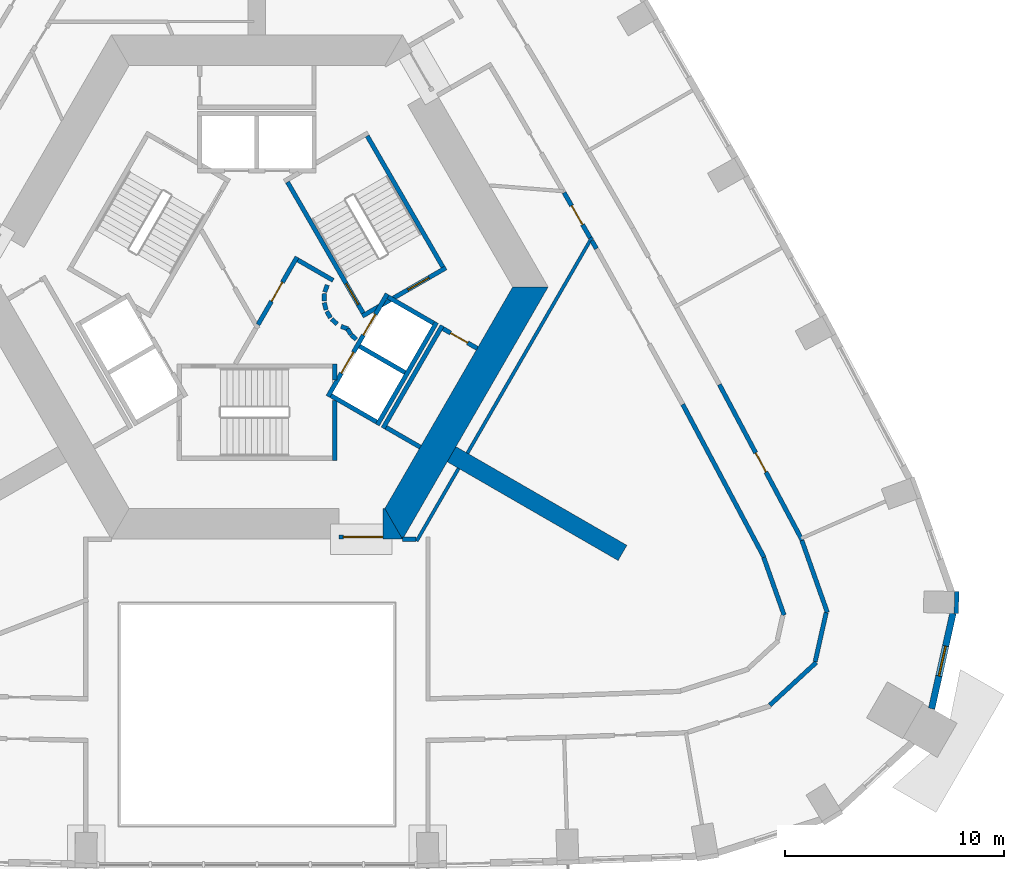
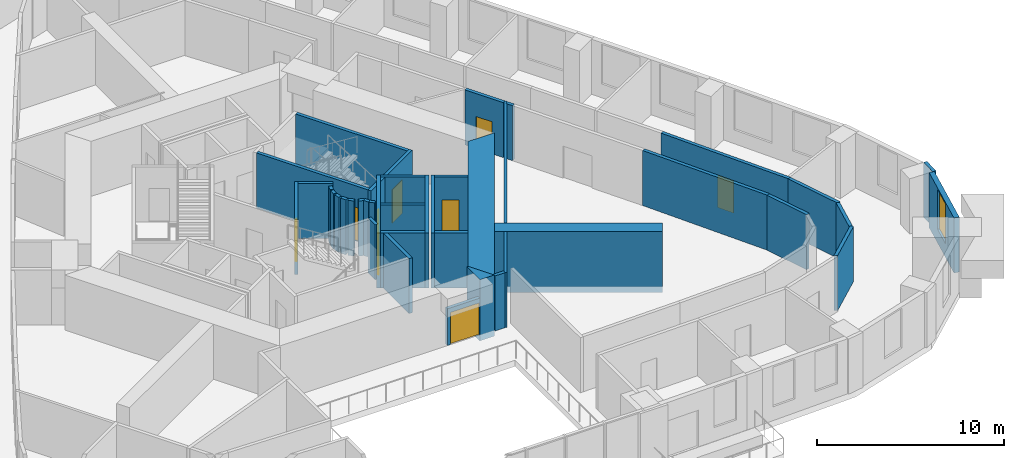
# One storey, part 6 of 13: 40 walls, 9 doors, 1 window, 10 openings.
"""IFC4 building model written with IfcOpenShell, lengths in metres."""

import ifcopenshell
import ifcopenshell.guid

model = None  # the IFC model being written
_history = None  # IfcOwnerHistory: only IFC2X3 demands one
_inside = {}  # id of a spatial element -> (the spatial element, [elements in it])
_under = {}  # id of a project, library or spatial element -> (it, [spatial elements below it])
_declared = {}  # id of a project -> (the project, [libraries it declares])
_typed = {}  # id of a type object -> (the type object, [elements of that type])
_made_of = {}  # id of a material, layer set ... -> (it, [elements and type objects made of it])


def new_model(schema):
    """Start an empty IFC model of exactly this schema.

    Asked for "IFC4X3", IfcOpenShell would pick the latest addendum, in which some entities
    have other attributes; the version numbers below select the first issue.
    IFC2X3 requires an IfcOwnerHistory on every rooted entity: one is made here for all.
    """
    global model, _history
    if schema == "IFC4X3":
        model = ifcopenshell.file(schema_version=(4, 3, 0, 0))
    else:
        model = ifcopenshell.file(schema=schema)
    _inside.clear()
    _under.clear()
    _declared.clear()
    _typed.clear()
    _made_of.clear()
    _history = None
    if model.schema == "IFC2X3":
        org = make("IfcOrganization", Name="unknown")
        user = make(
            "IfcPersonAndOrganization",
            ThePerson=make("IfcPerson", FamilyName="unknown"),
            TheOrganization=org,
        )
        app = make(
            "IfcApplication",
            ApplicationDeveloper=org,
            Version="unknown",
            ApplicationFullName="unknown",
            ApplicationIdentifier="unknown",
        )
        _history = make(
            "IfcOwnerHistory",
            OwningUser=user,
            OwningApplication=app,
            ChangeAction="ADDED",
            CreationDate=0,
        )
    return model


def make(cls, **values):
    """One entity of the class cls with the attributes given. An attribute that is None is left unset."""
    return model.create_entity(
        cls, **{name: value for name, value in values.items() if value is not None}
    )


def rooted(cls, **values):
    """An entity with a GlobalId (a new one), such as an element, a storey or a relation."""
    return make(cls, GlobalId=ifcopenshell.guid.new(), OwnerHistory=_history, **values)


def si_unit(unit_type, name, prefix=None):
    """IfcSIUnit, for example si_unit("LENGTHUNIT", "METRE", prefix="MILLI")."""
    return make("IfcSIUnit", UnitType=unit_type, Prefix=prefix, Name=name)


def assignment(units):
    """IfcUnitAssignment: the units of a project."""
    return None if units is None else make("IfcUnitAssignment", Units=units)


def point(xyz):
    """IfcCartesianPoint."""
    return None if xyz is None else make("IfcCartesianPoint", Coordinates=xyz)


def direction(xyz):
    """IfcDirection."""
    return None if xyz is None else make("IfcDirection", DirectionRatios=xyz)


def frame(location, z_axis=None, x_axis=None):
    """IfcAxis2Placement3D, a coordinate frame: its origin and axes. An axis left out is left unset."""
    return make(
        "IfcAxis2Placement3D",
        Location=point(location),
        Axis=direction(z_axis),
        RefDirection=direction(x_axis),
    )


def frame_2d(location, x_axis=None):
    """IfcAxis2Placement2D, a coordinate frame in the plane: its origin and x axis."""
    return make(
        "IfcAxis2Placement2D", Location=point(location), RefDirection=direction(x_axis)
    )


def origin():
    """The frame at (0, 0, 0) with its axes left unset."""
    return frame((0.0, 0.0, 0.0))


def place(relative_to, where):
    """IfcLocalPlacement: puts the frame where relative to a parent placement (None: the world)."""
    return make(
        "IfcLocalPlacement", PlacementRelTo=relative_to, RelativePlacement=where
    )


def context(
    kind, dimensions, precision=None, world=None, true_north=None, identifier=None
):
    """IfcGeometricRepresentationContext, for example the 3D "Model" context."""
    return make(
        "IfcGeometricRepresentationContext",
        ContextIdentifier=identifier,
        ContextType=kind,
        CoordinateSpaceDimension=dimensions,
        Precision=precision,
        WorldCoordinateSystem=world,
        TrueNorth=true_north,
    )


def subcontext(parent, identifier, kind, view, scale=None):
    """IfcGeometricRepresentationSubContext, for example "Body" below "Model"."""
    return make(
        "IfcGeometricRepresentationSubContext",
        ContextIdentifier=identifier,
        ContextType=kind,
        ParentContext=parent,
        TargetScale=scale,
        TargetView=view,
    )


def project(units=None, contexts=None):
    """IfcProject with its units and contexts."""
    return rooted(
        "IfcProject",
        Name="project",
        RepresentationContexts=contexts,
        UnitsInContext=assignment(units),
    )


def spatial(cls, under=None, at=None, **own):
    """A site, building, storey or space (cls), placed at a placement, below another one or the project."""
    s = rooted(cls, ObjectPlacement=at, **own)
    if under is not None:
        _under.setdefault(under.id(), (under, []))[1].append(s)
    return s


def polyline(points):
    """IfcPolyline through the points."""
    return make("IfcPolyline", Points=[point(p) for p in points])


def profile(cls, at=None, kind="AREA", **sizes):
    """A parametric profile (cls). Its sizes go by their IFC names, for example OverallWidth=200.0."""
    return make(cls, ProfileType=kind, Position=at, **sizes)


def rectangle(**sizes):
    """IfcRectangleProfileDef."""
    return profile("IfcRectangleProfileDef", **sizes)


def outline(outer, holes=None, kind="AREA"):
    """IfcArbitraryClosedProfileDef: a profile drawn as a closed curve; with holes, ...WithVoids."""
    if holes is None:
        return make("IfcArbitraryClosedProfileDef", ProfileType=kind, OuterCurve=outer)
    return make(
        "IfcArbitraryProfileDefWithVoids",
        ProfileType=kind,
        OuterCurve=outer,
        InnerCurves=holes,
    )


def extrude(swept, where, along, depth):
    """IfcExtrudedAreaSolid: the profile swept, set in the frame where, extruded along a direction by depth."""
    return make(
        "IfcExtrudedAreaSolid",
        SweptArea=swept,
        Position=where,
        ExtrudedDirection=direction(along),
        Depth=depth,
    )


def shape(context_of_items, identifier, shape_type, items):
    """IfcShapeRepresentation: the items that make up one representation, for example the "Body"."""
    return make(
        "IfcShapeRepresentation",
        ContextOfItems=context_of_items,
        RepresentationIdentifier=identifier,
        RepresentationType=shape_type,
        Items=items,
    )


def material(Name=None, Category=None):
    """IfcMaterial."""
    return make("IfcMaterial", Name=Name, Category=Category)


def layer(
    of_material, thickness, ventilated=None, Name=None, Category=None, Priority=None
):
    """IfcMaterialLayer: one layer of a wall or slab, of a material (None: an air gap)."""
    return make(
        "IfcMaterialLayer",
        Material=of_material,
        LayerThickness=thickness,
        IsVentilated=ventilated,
        Name=Name,
        Category=Category,
        Priority=Priority,
    )


def layer_set(layers, Name=None):
    """IfcMaterialLayerSet."""
    return make("IfcMaterialLayerSet", MaterialLayers=layers, LayerSetName=Name)


def made_of(thing, what):
    """Note that an element or type object is made of a material, layer set ...; save() writes the relation."""
    if what is not None:
        _made_of.setdefault(what.id(), (what, []))[1].append(thing)
    return thing


def type_object(cls, material=None, **own):
    """A type object (cls), such as IfcWallType, which elements share."""
    return made_of(rooted(cls, **own), material)


def element(
    cls,
    number,
    at=None,
    inside=None,
    cuts=None,
    type_object=None,
    material=None,
    context=None,
    identifier="Body",
    shape_type=None,
    held_by="IfcProductDefinitionShape",
    body=None,
    shapes=None,
    **own,
):
    """One element of the class cls, such as IfcWall. Its Tag is "e" and its number.

    at: its placement. inside: the storey or other place that contains it. cuts: it is an
    opening in that element (IfcRelVoidsElement). A single representation is given by context,
    identifier, shape_type and body (its items); several are given by shapes. held_by: the class
    of the entity that holds the representations. save() writes the other relations.
    """
    e = rooted(cls, Tag="e%d" % number, ObjectPlacement=at, **own)
    if body is not None:
        shapes = [shape(context, identifier, shape_type, body)]
    if shapes is not None:
        e.Representation = make(held_by, Representations=shapes)
    if inside is not None:
        _inside.setdefault(inside.id(), (inside, []))[1].append(e)
    if cuts is not None:
        rooted(
            "IfcRelVoidsElement", RelatingBuildingElement=cuts, RelatedOpeningElement=e
        )
    if type_object is not None:
        _typed.setdefault(type_object.id(), (type_object, []))[1].append(e)
    return made_of(e, material)


def fill(opening, filler):
    """IfcRelFillsElement: the door or window that sits in an opening."""
    return rooted(
        "IfcRelFillsElement",
        RelatingOpeningElement=opening,
        RelatedBuildingElement=filler,
    )


def aggregate(whole, parts):
    """IfcRelAggregates: a whole, such as a stair, and the parts it consists of."""
    return rooted("IfcRelAggregates", RelatingObject=whole, RelatedObjects=parts)


def save(model, path):
    """Write the relations noted so far, then the file.

    IfcRelAggregates (storeys below a building ...), IfcRelContainedInSpatialStructure (elements
    in a storey), IfcRelDefinesByType, IfcRelAssociatesMaterial and IfcRelDeclares: one each for
    every whole, place, type object, material and project.
    """
    for whole, parts in _under.values():
        aggregate(whole, parts)
    for where, things in _inside.values():
        rooted(
            "IfcRelContainedInSpatialStructure",
            RelatedElements=things,
            RelatingStructure=where,
        )
    for kind, things in _typed.values():
        rooted("IfcRelDefinesByType", RelatedObjects=things, RelatingType=kind)
    for what, things in _made_of.values():
        rooted("IfcRelAssociatesMaterial", RelatedObjects=things, RelatingMaterial=what)
    for by, libraries in _declared.values():
        rooted("IfcRelDeclares", RelatingContext=by, RelatedDefinitions=libraries)
    model.write(path)


model = new_model("IFC4")

# Units and contexts
model_context = context("Model", 3, precision=1e-05, world=origin(), true_north=direction((0.0, 1.0)))
body_context = subcontext(model_context, "Body", "Model", "MODEL_VIEW")
ifc_project = project(units=[si_unit("LENGTHUNIT", "METRE"), si_unit("AREAUNIT", "SQUARE_METRE"), si_unit("VOLUMEUNIT", "CUBIC_METRE"), si_unit("PLANEANGLEUNIT", "RADIAN"), si_unit("MASSUNIT", "GRAM", prefix="KILO")], contexts=[model_context])

# Site, building, storey
site_placement = place(None, origin())
site = spatial("IfcSite", under=ifc_project, at=site_placement, CompositionType="ELEMENT")
building_placement = place(site_placement, origin())
building = spatial("IfcBuilding", under=site, at=building_placement, Name="Entoto Arch Interchange Tower", CompositionType="ELEMENT")
storey_placement = place(building_placement, frame((0.0, 0.0, 231.800048828125)))
storey = spatial("IfcBuildingStorey", under=building, at=storey_placement, Name="L52", CompositionType="ELEMENT", Elevation=231.800048828125)

# Wall
ifc_material_1 = material(Name="Concrete C50/60", Category="concrete")
ifc_layer_1 = layer(ifc_material_1, 0.800048828125)
ifc_layer_set_1 = layer_set([ifc_layer_1], Name="Concrete C50/60")
wall_type_1 = type_object("IfcWallType", Name="Buttress wall 800 C50/60", PredefinedType="SHEAR", material=ifc_layer_set_1)
wall_1_placement = place(storey_placement, frame((8.876953125, -5.125, -0.400146484375), z_axis=(0.0, 0.0, 1.0), x_axis=(0.866017533419, -0.500013631625, 0.0)))
element("IfcWall", 1, at=wall_1_placement, inside=storey, type_object=wall_type_1, Name="Buttress wall SE L52", PredefinedType="SHEAR", context=body_context, shape_type="SweptSolid", body=[
    extrude(rectangle(XDim=8.999755859375, YDim=0.800048828125, at=frame_2d((4.5, 0.0))), origin(), (0.0, 0.0, 1.0), 4.0),
])

# Wall, opening, door
ifc_material_2 = material(Name="Reinforced concrete C40/50", Category="concrete")
ifc_layer_2 = layer(ifc_material_2, 0.199951171875)
ifc_layer_set_2 = layer_set([ifc_layer_2], Name="Reinforced concrete C40/50")
wall_type_2 = type_object("IfcWallType", Name="CORE GAP INFILL WALL", PredefinedType="PARTITIONING", material=ifc_layer_set_2)
wall_2_placement = place(storey_placement, frame((3.75, -8.89990234375, 0.0), z_axis=(0.0, 0.0, 1.0), x_axis=(1.0, 0.0, 0.0)))
wall_2 = element("IfcWall", 2, at=wall_2_placement, inside=storey, type_object=wall_type_2, Name="wall:L52:gap1", PredefinedType="PARTITIONING", context=body_context, shape_type="SweptSolid", body=[
    extrude(rectangle(XDim=2.0, YDim=0.199951171875, at=frame_2d((1.0, 0.0))), origin(), (0.0, 0.0, 1.0), 2.39990234375),
])
opening_1_placement = place(wall_2_placement, frame((0.18994140625, 0.0, 0.0)))
opening_1 = element("IfcOpeningElement", 3, at=opening_1_placement, cuts=wall_2, Name="Opening L52-D91", PredefinedType="OPENING", context=body_context, shape_type="SweptSolid", body=[
    extrude(rectangle(XDim=1.800048828125, YDim=2.10009765625, at=frame_2d((0.89990234375, 1.050048828125))), frame((0.0, 0.10986328125, 0.0), z_axis=(0.0, -1.0, 0.0), x_axis=(1.0, 0.0, 0.0)), (0.0, 0.0, 1.0), 0.219970703125),
])
ifc_material_3 = material(Name="Fire-rated Steel S235 door and frame", Category="steel")
door_type_1 = type_object("IfcDoorType", Name="DOOR FD-18 1800x2100", OperationType="DOUBLE_DOOR_SINGLE_SWING", PredefinedType="DOOR", material=ifc_material_3)
door_1_placement = place(opening_1_placement, origin())
door_1 = element("IfcDoor", 4, at=door_1_placement, inside=storey, type_object=door_type_1, Name="door:L52:gap1", OperationType="DOUBLE_DOOR_SINGLE_SWING", OverallHeight=2.10009765625, OverallWidth=1.800048828125, PredefinedType="DOOR", context=body_context, shape_type="SweptSolid", body=[
    extrude(rectangle(XDim=1.800048828125, YDim=2.10009765625, at=frame_2d((0.89990234375, 1.050048828125))), frame((0.0, 0.02490234375, 0.0), z_axis=(0.0, -1.0, 0.0), x_axis=(1.0, 0.0, 0.0)), (0.0, 0.0, 1.0), 0.050048828125),
])
fill(opening_1, door_1)

# Walls
ifc_layer_3 = layer(ifc_material_1, 1.39990234375)
ifc_layer_set_3 = layer_set([ifc_layer_3], Name="Concrete C50/60")
wall_type_3 = type_object("IfcWallType", Name="Core wall 1400 C50/60", PredefinedType="SHEAR", material=ifc_layer_set_3)
wall_3_placement = place(storey_placement, frame((0.0, 0.0, -0.400146484375)))
element("IfcWall", 5, at=wall_3_placement, inside=storey, type_object=wall_type_3, Name="Core wall S L52", PredefinedType="SHEAR", context=body_context, shape_type="SweptSolid", body=[
    extrude(outline(polyline([(5.75, -7.60009765625), (5.75, -9.0), (6.639892578125, -9.0), (5.8310546875, -7.60009765625), (5.75, -7.60009765625)])), origin(), (0.0, 0.0, 1.0), 4.0),
])
wall_4_placement = place(storey_placement, frame((0.0, 0.0, -0.400146484375)))
element("IfcWall", 6, at=wall_4_placement, inside=storey, type_object=wall_type_3, Name="Core wall SE L52", PredefinedType="SHEAR", context=body_context, shape_type="SweptSolid", body=[
    extrude(outline(polyline([(6.639892578125, -9.0), (13.279052734375, 2.5), (11.662109375, 2.5), (5.8310546875, -7.60009765625), (6.639892578125, -9.0)])), origin(), (0.0, 0.0, 1.0), 4.0),
])

# Wall, openings, doors
ifc_material_4 = material(Name="Concrete C40/50", Category="concrete")
ifc_layer_4 = layer(ifc_material_4, 0.199951171875)
ifc_layer_set_4 = layer_set([ifc_layer_4], Name="Concrete C40/50")
wall_type_4 = type_object("IfcWallType", Name="LIFT SHAFT WALL 200", PredefinedType="STANDARD", material=ifc_layer_set_4)
wall_5_placement = place(storey_placement, frame((3.239990234375, -2.488037109375, 0.0), z_axis=(0.0, 0.0, 1.0), x_axis=(0.500034260056, 0.866005622828, 0.0)))
wall_5 = element("IfcWall", 7, at=wall_5_placement, inside=storey, type_object=wall_type_4, Name="Shaft wall SE1 front", PredefinedType="STANDARD", context=body_context, shape_type="SweptSolid", body=[
    extrude(rectangle(XDim=5.3994140625, YDim=0.199951171875, at=frame_2d((2.69970703125, 0.0))), origin(), (0.0, 0.0, 1.0), 3.599853515625),
])
opening_2_placement = place(wall_5_placement, frame((3.22509765625, 0.0, 0.0)))
opening_2 = element("IfcOpeningElement", 8, at=opening_2_placement, cuts=wall_5, Name="Opening LD-HR3-L52", PredefinedType="OPENING", context=body_context, shape_type="SweptSolid", body=[
    extrude(rectangle(XDim=1.10009765625, YDim=2.10009765625, at=frame_2d((0.550048828125, 1.050048828125))), frame((0.0, 0.10986328125, 0.0), z_axis=(0.0, -1.0, 0.0), x_axis=(1.0, 0.0, 0.0)), (0.0, 0.0, 1.0), 0.219970703125),
])
opening_3_placement = place(wall_5_placement, frame((1.22509765625, 0.0, 0.0)))
opening_3 = element("IfcOpeningElement", 9, at=opening_3_placement, cuts=wall_5, Name="Opening LD-FF1-L52", PredefinedType="OPENING", context=body_context, shape_type="SweptSolid", body=[
    extrude(rectangle(XDim=1.10009765625, YDim=2.10009765625, at=frame_2d((0.550048828125, 1.050048828125))), frame((0.0, 0.10986328125, 0.0), z_axis=(0.0, -1.0, 0.0), x_axis=(1.0, 0.0, 0.0)), (0.0, 0.0, 1.0), 0.219970703125),
])
ifc_material_5 = material(Name="Stainless steel 1.4301 panels", Category="steel")
door_type_2 = type_object("IfcDoorType", Name="LIFT LANDING DOOR LD1 1100x2100", OperationType="SLIDING_TO_LEFT", PredefinedType="DOOR", material=ifc_material_5)
door_2_placement = place(opening_2_placement, origin())
door_2 = element("IfcDoor", 10, at=door_2_placement, inside=storey, type_object=door_type_2, Name="Lift landing door HR3 L52", OperationType="SLIDING_TO_LEFT", OverallHeight=2.10009765625, OverallWidth=1.10009765625, PredefinedType="DOOR", context=body_context, shape_type="SweptSolid", body=[
    extrude(rectangle(XDim=1.10009765625, YDim=2.10009765625, at=frame_2d((0.550048828125, 1.050048828125))), frame((0.0, 0.02490234375, 0.0), z_axis=(0.0, -1.0, 0.0), x_axis=(1.0, 0.0, 0.0)), (0.0, 0.0, 1.0), 0.050048828125),
])
fill(opening_2, door_2)
door_3_placement = place(opening_3_placement, origin())
door_3 = element("IfcDoor", 11, at=door_3_placement, inside=storey, type_object=door_type_2, Name="Lift landing door FF1 L52", OperationType="SLIDING_TO_LEFT", OverallHeight=2.10009765625, OverallWidth=1.10009765625, PredefinedType="DOOR", context=body_context, shape_type="SweptSolid", body=[
    extrude(rectangle(XDim=1.10009765625, YDim=2.10009765625, at=frame_2d((0.550048828125, 1.050048828125))), frame((0.0, 0.02490234375, 0.0), z_axis=(0.0, -1.0, 0.0), x_axis=(1.0, 0.0, 0.0)), (0.0, 0.0, 1.0), 0.050048828125),
])
fill(opening_3, door_3)

# Walls
wall_6_placement = place(storey_placement, frame((5.491943359375, -3.7880859375, 0.0), z_axis=(0.0, 0.0, 1.0), x_axis=(0.500034260056, 0.866005622828, 0.0)))
element("IfcWall", 12, at=wall_6_placement, inside=storey, type_object=wall_type_4, Name="Shaft wall SE1 back", PredefinedType="STANDARD", context=body_context, shape_type="SweptSolid", body=[
    extrude(rectangle(XDim=5.3994140625, YDim=0.199951171875, at=frame_2d((2.69970703125, 0.0))), origin(), (0.0, 0.0, 1.0), 3.599853515625),
])
wall_7_placement = place(storey_placement, frame((3.376953125, -2.451904296875, 0.0), z_axis=(0.0, 0.0, 1.0), x_axis=(0.865955154139, -0.50012165622, 0.0)))
element("IfcWall", 13, at=wall_7_placement, inside=storey, type_object=wall_type_4, Name="Shaft wall SE1 cross 1", PredefinedType="STANDARD", context=body_context, shape_type="SweptSolid", body=[
    extrude(rectangle(XDim=2.39990234375, YDim=0.199951171875, at=frame_2d((1.199951171875, 0.0))), origin(), (0.0, 0.0, 1.0), 3.599853515625),
])
for number, where, z_axis, x_axis, name in (
    (14, (4.677001953125, -0.199951171875, 0.0), (0.0, 0.0, 1.0), (0.865973769406, -0.500089422704, 0.0), "Shaft wall SE1 cross 2"),
    (15, (5.97705078125, 2.052001953125, 0.0), (0.0, 0.0, 1.0), (0.865973769406, -0.500089422704, 0.0), "Shaft wall SE1 cross 3"),
):
    element("IfcWall", number, at=place(storey_placement, frame(where, z_axis=z_axis, x_axis=x_axis)), inside=storey, type_object=wall_type_4, Name=name, PredefinedType="STANDARD", context=body_context, shape_type="SweptSolid", body=[
        extrude(rectangle(XDim=2.3994140625, YDim=0.199951171875, at=frame_2d((1.19970703125, 0.0))), origin(), (0.0, 0.0, 1.0), 3.599853515625),
    ])
ifc_material_6 = material(Name="Gypsum board partition on steel studs", Category="steel")
ifc_layer_5 = layer(ifc_material_6, 0.14990234375)
ifc_layer_set_5 = layer_set([ifc_layer_5], Name="Gypsum board partition on steel studs")
wall_type_5 = type_object("IfcWallType", Name="PARTITION 150", PredefinedType="PARTITIONING", material=ifc_layer_set_5)
wall_8_placement = place(storey_placement, frame((7.282958984375, -9.0859375, 0.0), z_axis=(0.0, 0.0, 1.0), x_axis=(0.500035303972, 0.866005020067, 0.0)))
element("IfcWall", 16, at=wall_8_placement, inside=storey, type_object=wall_type_5, Name="wall:L52:p085", PredefinedType="PARTITIONING", context=body_context, shape_type="SweptSolid", body=[
    extrude(rectangle(XDim=3.827880859375, YDim=0.14990234375, at=frame_2d((1.9140625, 0.0))), origin(), (0.0, 0.0, 1.0), 3.599853515625),
])
wall_9_placement = place(storey_placement, frame((9.596923828125, -5.0791015625, 0.0), z_axis=(0.0, 0.0, 1.0), x_axis=(0.499949193323, 0.866054735046, 0.0)))
element("IfcWall", 17, at=wall_9_placement, inside=storey, type_object=wall_type_5, Name="wall:L52:p085", PredefinedType="PARTITIONING", context=body_context, shape_type="SweptSolid", body=[
    extrude(rectangle(XDim=11.371337890625, YDim=0.14990234375, at=frame_2d((5.685546875, 0.0))), origin(), (0.0, 0.0, 1.0), 3.599853515625),
])

# Wall, opening, door
ifc_layer_6 = layer(ifc_material_6, 0.199951171875)
ifc_layer_set_6 = layer_set([ifc_layer_6], Name="Gypsum board partition on steel studs")
wall_type_6 = type_object("IfcWallType", Name="PARTITION 200", PredefinedType="PARTITIONING", material=ifc_layer_set_6)
wall_10_placement = place(storey_placement, frame((15.194091796875, 4.7470703125, 0.0), z_axis=(0.0, 0.0, 1.0), x_axis=(-0.500140598757, 0.865944213836, 0.0)))
wall_10 = element("IfcWall", 18, at=wall_10_placement, inside=storey, type_object=wall_type_6, Name="wall:L52:p005", PredefinedType="PARTITIONING", context=body_context, shape_type="SweptSolid", body=[
    extrude(rectangle(XDim=2.375244140625, YDim=0.199951171875, at=frame_2d((1.1875, 0.0))), origin(), (0.0, 0.0, 1.0), 3.599853515625),
])
opening_4_placement = place(wall_10_placement, frame((0.68798828125, 0.0, 0.0)))
opening_4 = element("IfcOpeningElement", 19, at=opening_4_placement, cuts=wall_10, Name="Opening L52-D25", PredefinedType="OPENING", context=body_context, shape_type="SweptSolid", body=[
    extrude(rectangle(XDim=1.0, YDim=2.10009765625, at=frame_2d((0.5, 1.050048828125))), frame((0.0, 0.10986328125, 0.0), z_axis=(0.0, -1.0, 0.0), x_axis=(1.0, 0.0, 0.0)), (0.0, 0.0, 1.0), 0.219970703125),
])
ifc_material_7 = material(Name="Timber door leaf in Steel S235 frame", Category="steel")
door_type_3 = type_object("IfcDoorType", Name="DOOR DS-10 1000x2100", OperationType="SINGLE_SWING_LEFT", PredefinedType="DOOR", material=ifc_material_7)
door_4_placement = place(opening_4_placement, origin())
door_4 = element("IfcDoor", 20, at=door_4_placement, inside=storey, type_object=door_type_3, Name="door:L52:25", OperationType="SINGLE_SWING_LEFT", OverallHeight=2.10009765625, OverallWidth=1.0, PredefinedType="DOOR", context=body_context, shape_type="SweptSolid", body=[
    extrude(rectangle(XDim=1.0, YDim=2.10009765625, at=frame_2d((0.5, 1.050048828125))), frame((0.0, 0.02490234375, 0.0), z_axis=(0.0, -1.0, 0.0), x_axis=(1.0, 0.0, 0.0)), (0.0, 0.0, 1.0), 0.050048828125),
])
fill(opening_4, door_4)

# Walls
wall_11_placement = place(storey_placement, frame((24.0400390625, -12.462890625, 0.0), z_axis=(0.0, 0.0, 1.0), x_axis=(-0.333166995935, 0.942867834227, 0.0)))
element("IfcWall", 21, at=wall_11_placement, inside=storey, type_object=wall_type_6, Name="wall:L52:p025", PredefinedType="PARTITIONING", context=body_context, shape_type="SweptSolid", body=[
    extrude(rectangle(XDim=2.7978515625, YDim=0.199951171875, at=frame_2d((1.39892578125, 0.0))), origin(), (0.0, 0.0, 1.0), 3.599853515625),
])
wall_12_placement = place(storey_placement, frame((23.12109375, -9.819091796875, 0.0), z_axis=(0.0, 0.0, 1.0), x_axis=(-0.469450210487, 0.882958945746, 0.0)))
element("IfcWall", 22, at=wall_12_placement, inside=storey, type_object=wall_type_6, Name="wall:L52:p026", PredefinedType="PARTITIONING", context=body_context, shape_type="SweptSolid", body=[
    extrude(rectangle(XDim=7.88623046875, YDim=0.199951171875, at=frame_2d((3.943115234375, 0.0))), origin(), (0.0, 0.0, 1.0), 3.599853515625),
])
wall_13_placement = place(storey_placement, frame((15.48193359375, 4.2490234375, 0.0), z_axis=(0.0, 0.0, 1.0), x_axis=(-0.500832493767, 0.865544229481, 0.0)))
element("IfcWall", 23, at=wall_13_placement, inside=storey, type_object=wall_type_6, Name="wall:L52:p028", PredefinedType="PARTITIONING", context=body_context, shape_type="SweptSolid", body=[
    extrude(rectangle(XDim=0.425048828125, YDim=0.199951171875, at=frame_2d((0.21240234375, 0.0))), origin(), (0.0, 0.0, 1.0), 3.599853515625),
])
wall_14_placement = place(storey_placement, frame((24.85205078125, -9.05908203125, 0.0), z_axis=(0.0, 0.0, 1.0), x_axis=(0.333116923704, -0.942885526001, 0.0)))
element("IfcWall", 24, at=wall_14_placement, inside=storey, type_object=wall_type_6, Name="wall:L52:p042", PredefinedType="PARTITIONING", context=body_context, shape_type="SweptSolid", body=[
    extrude(rectangle(XDim=3.48486328125, YDim=0.199951171875, at=frame_2d((1.742431640625, 0.0))), origin(), (0.0, 0.0, 1.0), 3.599853515625),
])
wall_15_placement = place(storey_placement, frame((25.9580078125, -12.347900390625, 0.0), z_axis=(0.0, 0.0, 1.0), x_axis=(-0.2183498404, -0.975870558628, 0.0)))
element("IfcWall", 25, at=wall_15_placement, inside=storey, type_object=wall_type_6, Name="wall:L52:p043", PredefinedType="PARTITIONING", context=body_context, shape_type="SweptSolid", body=[
    extrude(rectangle(XDim=2.29443359375, YDim=0.199951171875, at=frame_2d((1.147216796875, 0.0))), origin(), (0.0, 0.0, 1.0), 3.599853515625),
])
wall_16_placement = place(storey_placement, frame((25.509033203125, -14.616943359375, 0.0), z_axis=(0.0, 0.0, 1.0), x_axis=(-0.735846476242, -0.677148405745, 0.0)))
element("IfcWall", 26, at=wall_16_placement, inside=storey, type_object=wall_type_6, Name="wall:L52:p044", PredefinedType="PARTITIONING", context=body_context, shape_type="SweptSolid", body=[
    extrude(rectangle(XDim=2.878173828125, YDim=0.199951171875, at=frame_2d((1.43896484375, 0.0))), origin(), (0.0, 0.0, 1.0), 3.599853515625),
])

# Wall, opening, door
wall_17_placement = place(storey_placement, frame((21.089111328125, -1.948974609375, 0.0), z_axis=(0.0, 0.0, 1.0), x_axis=(0.469431794586, -0.882968736837, 0.0)))
wall_17 = element("IfcWall", 27, at=wall_17_placement, inside=storey, type_object=wall_type_6, Name="wall:L52:p047", PredefinedType="PARTITIONING", context=body_context, shape_type="SweptSolid", body=[
    extrude(rectangle(XDim=8.045654296875, YDim=0.199951171875, at=frame_2d((4.02294921875, 0.0))), origin(), (0.0, 0.0, 1.0), 3.599853515625),
])
opening_5_placement = place(wall_17_placement, frame((3.52197265625, 0.0, 0.0)))
opening_5 = element("IfcOpeningElement", 28, at=opening_5_placement, cuts=wall_17, Name="Opening L52-D04", PredefinedType="OPENING", context=body_context, shape_type="SweptSolid", body=[
    extrude(rectangle(XDim=1.0, YDim=2.10009765625, at=frame_2d((0.5, 1.050048828125))), frame((0.0, 0.10986328125, 0.0), z_axis=(0.0, -1.0, 0.0), x_axis=(1.0, 0.0, 0.0)), (0.0, 0.0, 1.0), 0.219970703125),
])
door_5_placement = place(opening_5_placement, origin())
door_5 = element("IfcDoor", 29, at=door_5_placement, inside=storey, type_object=door_type_3, Name="door:L52:04", OperationType="SINGLE_SWING_LEFT", OverallHeight=2.10009765625, OverallWidth=1.0, PredefinedType="DOOR", context=body_context, shape_type="SweptSolid", body=[
    extrude(rectangle(XDim=1.0, YDim=2.10009765625, at=frame_2d((0.5, 1.050048828125))), frame((0.0, 0.02490234375, 0.0), z_axis=(0.0, -1.0, 0.0), x_axis=(1.0, 0.0, 0.0)), (0.0, 0.0, 1.0), 0.050048828125),
])
fill(opening_5, door_5)

# Wall
wall_18_placement = place(storey_placement, frame((5.7509765625, -3.93798828125, 0.0), z_axis=(0.0, 0.0, 1.0), x_axis=(0.500034260056, 0.866005622828, 0.0)))
element("IfcWall", 30, at=wall_18_placement, inside=storey, type_object=wall_type_6, Name="wall:L52:p074", PredefinedType="PARTITIONING", context=body_context, shape_type="SweptSolid", body=[
    extrude(rectangle(XDim=5.3994140625, YDim=0.199951171875, at=frame_2d((2.69970703125, 0.0))), origin(), (0.0, 0.0, 1.0), 3.599853515625),
])

# Wall, opening, door
wall_19_placement = place(storey_placement, frame((8.488037109375, 0.60205078125, 0.0), z_axis=(0.0, 0.0, 1.0), x_axis=(0.86585331735, -0.500297944063, 0.0)))
wall_19 = element("IfcWall", 31, at=wall_19_placement, inside=storey, type_object=wall_type_6, Name="wall:L52:p075", PredefinedType="PARTITIONING", context=body_context, shape_type="SweptSolid", body=[
    extrude(rectangle(XDim=1.79931640625, YDim=0.199951171875, at=frame_2d((0.899658203125, 0.0))), origin(), (0.0, 0.0, 1.0), 3.599853515625),
])
opening_6_placement = place(wall_19_placement, frame((0.39990234375, 0.0, 0.0)))
opening_6 = element("IfcOpeningElement", 32, at=opening_6_placement, cuts=wall_19, Name="Opening L52-D30", PredefinedType="OPENING", context=body_context, shape_type="SweptSolid", body=[
    extrude(rectangle(XDim=0.89990234375, YDim=2.10009765625, at=frame_2d((0.449951171875, 1.050048828125))), frame((0.0, 0.10986328125, 0.0), z_axis=(0.0, -1.0, 0.0), x_axis=(1.0, 0.0, 0.0)), (0.0, 0.0, 1.0), 0.219970703125),
])
door_type_4 = type_object("IfcDoorType", Name="DOOR DS-09 900x2100", OperationType="SINGLE_SWING_LEFT", PredefinedType="DOOR", material=ifc_material_7)
door_6_placement = place(opening_6_placement, origin())
door_6 = element("IfcDoor", 33, at=door_6_placement, inside=storey, type_object=door_type_4, Name="door:L52:30", OperationType="SINGLE_SWING_RIGHT", OverallHeight=2.10009765625, OverallWidth=0.89990234375, PredefinedType="DOOR", context=body_context, shape_type="SweptSolid", body=[
    extrude(rectangle(XDim=0.89990234375, YDim=2.10009765625, at=frame_2d((0.449951171875, 1.050048828125))), frame((0.0, 0.02490234375, 0.0), z_axis=(0.0, -1.0, 0.0), x_axis=(1.0, 0.0, 0.0)), (0.0, 0.0, 1.0), 0.050048828125),
])
fill(opening_6, door_6)

# Walls
wall_20_placement = place(storey_placement, frame((7.447021484375, -4.801025390625, 0.0), z_axis=(0.0, 0.0, 1.0), x_axis=(-0.866316547501, 0.499495384889, 0.0)))
element("IfcWall", 34, at=wall_20_placement, inside=storey, type_object=wall_type_6, Name="wall:L52:p076", PredefinedType="PARTITIONING", context=body_context, shape_type="SweptSolid", body=[
    extrude(rectangle(XDim=1.799560546875, YDim=0.199951171875, at=frame_2d((0.89990234375, 0.0))), origin(), (0.0, 0.0, 1.0), 3.599853515625),
])
wall_21_placement = place(storey_placement, frame((6.64111328125, -8.9990234375, 0.0), z_axis=(0.0, 0.0, 1.0), x_axis=(1.0, 0.0, 0.0)))
element("IfcWall", 35, at=wall_21_placement, inside=storey, type_object=wall_type_6, Name="wall:L52:p084", PredefinedType="PARTITIONING", context=body_context, shape_type="SweptSolid", body=[
    extrude(rectangle(XDim=0.616943359375, YDim=0.199951171875, at=frame_2d((0.30859375, 0.0))), origin(), (0.0, 0.0, 1.0), 3.599853515625),
])

# Wall, opening, door
wall_22_placement = place(storey_placement, frame((0.050048828125, 0.787109375, 0.0), z_axis=(0.0, 0.0, 1.0), x_axis=(0.499954076797, 0.866051915934, 0.0)))
wall_22 = element("IfcWall", 36, at=wall_22_placement, inside=storey, type_object=wall_type_6, Name="wall:L52:p087", PredefinedType="PARTITIONING", context=body_context, shape_type="SweptSolid", body=[
    extrude(rectangle(XDim=3.558349609375, YDim=0.199951171875, at=frame_2d((1.779296875, 0.0))), origin(), (0.0, 0.0, 1.0), 3.599853515625),
])
opening_7_placement = place(wall_22_placement, frame((1.22900390625, 0.0, 0.0)))
opening_7 = element("IfcOpeningElement", 37, at=opening_7_placement, cuts=wall_22, Name="Opening L52-D27", PredefinedType="OPENING", context=body_context, shape_type="SweptSolid", body=[
    extrude(rectangle(XDim=1.0, YDim=2.10009765625, at=frame_2d((0.5, 1.050048828125))), frame((0.0, 0.10986328125, 0.0), z_axis=(0.0, -1.0, 0.0), x_axis=(1.0, 0.0, 0.0)), (0.0, 0.0, 1.0), 0.219970703125),
])
door_type_5 = type_object("IfcDoorType", Name="DOOR FD-10 1000x2100", OperationType="SINGLE_SWING_LEFT", PredefinedType="DOOR", material=ifc_material_3)
door_7_placement = place(opening_7_placement, origin())
door_7 = element("IfcDoor", 38, at=door_7_placement, inside=storey, type_object=door_type_5, Name="door:L52:27", OperationType="SINGLE_SWING_RIGHT", OverallHeight=2.10009765625, OverallWidth=1.0, PredefinedType="DOOR", context=body_context, shape_type="SweptSolid", body=[
    extrude(rectangle(XDim=1.0, YDim=2.10009765625, at=frame_2d((0.5, 1.050048828125))), frame((0.0, 0.02490234375, 0.0), z_axis=(0.0, -1.0, 0.0), x_axis=(1.0, 0.0, 0.0)), (0.0, 0.0, 1.0), 0.050048828125),
])
fill(opening_7, door_7)

# Walls
wall_23_placement = place(storey_placement, frame((1.865966796875, 3.73193359375, 0.0), z_axis=(0.0, 0.0, 1.0), x_axis=(0.866043361281, -0.499968895414, 0.0)))
element("IfcWall", 39, at=wall_23_placement, inside=storey, type_object=wall_type_6, Name="wall:L52:p088", PredefinedType="PARTITIONING", context=body_context, shape_type="SweptSolid", body=[
    extrude(rectangle(XDim=1.85791015625, YDim=0.199951171875, at=frame_2d((0.928955078125, 0.0))), origin(), (0.0, 0.0, 1.0), 3.599853515625),
])
wall_24_placement = place(storey_placement, frame((3.2080078125, 2.592041015625, 0.0), z_axis=(0.0, 0.0, 1.0), x_axis=(-0.337388820924, -0.941365382578, 0.0)))
element("IfcWall", 40, at=wall_24_placement, inside=storey, type_object=wall_type_6, Name="wall:L52:p089", PredefinedType="PARTITIONING", context=body_context, shape_type="SweptSolid", body=[
    extrude(rectangle(XDim=0.337890625, YDim=0.199951171875, at=frame_2d((0.1689453125, 0.0))), origin(), (0.0, 0.0, 1.0), 3.599853515625),
])
wall_25_placement = place(storey_placement, frame((3.0791015625, 2.198974609375, 0.0), z_axis=(0.0, 0.0, 1.0), x_axis=(-0.047771483479, -0.998858290933, 0.0)))
element("IfcWall", 41, at=wall_25_placement, inside=storey, type_object=wall_type_6, Name="wall:L52:p090", PredefinedType="PARTITIONING", context=body_context, shape_type="SweptSolid", body=[
    extrude(rectangle(XDim=0.33740234375, YDim=0.199951171875, at=frame_2d((0.168701171875, 0.0))), origin(), (0.0, 0.0, 1.0), 3.599853515625),
])
wall_26_placement = place(storey_placement, frame((3.070068359375, 1.785888671875, 0.0), z_axis=(0.0, 0.0, 1.0), x_axis=(0.242705583207, -0.970099994784, 0.0)))
element("IfcWall", 42, at=wall_26_placement, inside=storey, type_object=wall_type_6, Name="wall:L52:p091", PredefinedType="PARTITIONING", context=body_context, shape_type="SweptSolid", body=[
    extrude(rectangle(XDim=0.337890625, YDim=0.199951171875, at=frame_2d((0.1689453125, 0.0))), origin(), (0.0, 0.0, 1.0), 3.599853515625),
])
for number, where, z_axis, x_axis, name in (
    (43, (3.181884765625, 1.387939453125, 0.0), (0.0, 0.0, 1.0), (0.512474702713, -0.85870232274, 0.0), "wall:L52:p092"),
    (44, (3.404052734375, 1.0390625, 0.0), (0.0, 0.0, 1.0), (0.740267097712, -0.672312891476, 0.0), "wall:L52:p093"),
):
    element("IfcWall", number, at=place(storey_placement, frame(where, z_axis=z_axis, x_axis=x_axis)), inside=storey, type_object=wall_type_6, Name=name, PredefinedType="PARTITIONING", context=body_context, shape_type="SweptSolid", body=[
        extrude(rectangle(XDim=0.337646484375, YDim=0.199951171875, at=frame_2d((0.1689453125, 0.0))), origin(), (0.0, 0.0, 1.0), 3.599853515625),
    ])
wall_27_placement = place(storey_placement, frame((3.837890625, 0.701904296875, 0.0), z_axis=(0.0, 0.0, 1.0), x_axis=(0.941035081519, -0.338308993895, 0.0)))
element("IfcWall", 45, at=wall_27_placement, inside=storey, type_object=wall_type_6, Name="wall:L52:p094", PredefinedType="PARTITIONING", context=body_context, shape_type="SweptSolid", body=[
    extrude(rectangle(XDim=0.3369140625, YDim=0.199951171875, at=frame_2d((0.16845703125, 0.0))), origin(), (0.0, 0.0, 1.0), 3.599853515625),
])
wall_28_placement = place(storey_placement, frame((4.132080078125, 0.593017578125, 0.0), z_axis=(0.0, 0.0, 1.0), x_axis=(0.513561617048, -0.858052717201, 0.0)))
element("IfcWall", 46, at=wall_28_placement, inside=storey, type_object=wall_type_6, Name="wall:L52:p095", PredefinedType="PARTITIONING", context=body_context, shape_type="SweptSolid", body=[
    extrude(rectangle(XDim=0.3076171875, YDim=0.199951171875, at=frame_2d((0.15380859375, 0.0))), origin(), (0.0, 0.0, 1.0), 3.599853515625),
])
wall_29_placement = place(storey_placement, frame((4.301025390625, 0.31494140625, 0.0), z_axis=(0.0, 0.0, 1.0), x_axis=(0.741798017506, -0.670623367639, 0.0)))
element("IfcWall", 47, at=wall_29_placement, inside=storey, type_object=wall_type_6, Name="wall:L52:p096", PredefinedType="PARTITIONING", context=body_context, shape_type="SweptSolid", body=[
    extrude(rectangle(XDim=0.30859375, YDim=0.199951171875, at=frame_2d((0.154296875, 0.0))), origin(), (0.0, 0.0, 1.0), 3.599853515625),
])
ifc_layer_7 = layer(ifc_material_4, 0.199951171875)
ifc_layer_set_7 = layer_set([ifc_layer_7], Name="Concrete C40/50")
wall_type_7 = type_object("IfcWallType", Name="STAIR ENCLOSURE WALL 200", PredefinedType="STANDARD", material=ifc_layer_set_7)
wall_30_placement = place(storey_placement, frame((3.550048828125, -2.6669921875, 0.0), z_axis=(0.0, 0.0, 1.0), x_axis=(0.0, -1.0, 0.0)))
element("IfcWall", 48, at=wall_30_placement, inside=storey, type_object=wall_type_7, Name="Stair wall ST-S far", PredefinedType="STANDARD", context=body_context, shape_type="SweptSolid", body=[
    extrude(rectangle(XDim=2.73291015625, YDim=0.199951171875, at=frame_2d((1.366455078125, 0.0))), origin(), (0.0, 0.0, 1.0), 3.599853515625),
])
wall_31_placement = place(storey_placement, frame((3.550048828125, -1.0, 0.0), z_axis=(0.0, 0.0, 1.0), x_axis=(0.0, -1.0, 0.0)))
element("IfcWall", 49, at=wall_31_placement, inside=storey, type_object=wall_type_7, Name="Stair wall ST-S far return", PredefinedType="STANDARD", context=body_context, shape_type="SweptSolid", body=[
    extrude(rectangle(XDim=0.7509765625, YDim=0.199951171875, at=frame_2d((0.37548828125, 0.0))), origin(), (0.0, 0.0, 1.0), 3.599853515625),
])

# Wall, opening, door
wall_32_placement = place(storey_placement, frame((4.805908203125, 1.176025390625, 0.0), z_axis=(0.0, 0.0, 1.0), x_axis=(0.866059941101, 0.499940174841, 0.0)))
wall_32 = element("IfcWall", 50, at=wall_32_placement, inside=storey, type_object=wall_type_7, Name="Stair wall ST-NE near", PredefinedType="STANDARD", context=body_context, shape_type="SweptSolid", body=[
    extrude(rectangle(XDim=4.400390625, YDim=0.199951171875, at=frame_2d((2.2001953125, 0.0))), origin(), (0.0, 0.0, 1.0), 3.599853515625),
])
opening_8_placement = place(wall_32_placement, frame((2.39990234375, 0.0, 0.0)))
opening_8 = element("IfcOpeningElement", 51, at=opening_8_placement, cuts=wall_32, Name="Opening SD-ST-NE-L52-E", PredefinedType="OPENING", context=body_context, shape_type="SweptSolid", body=[
    extrude(rectangle(XDim=1.10009765625, YDim=2.199951171875, at=frame_2d((0.550048828125, 1.10009765625))), frame((0.0, 0.10986328125, 0.0), z_axis=(0.0, -1.0, 0.0), x_axis=(1.0, 0.0, 0.0)), (0.0, 0.0, 1.0), 0.219970703125),
])
ifc_material_8 = material(Name="Steel S235", Category="steel")
door_type_6 = type_object("IfcDoorType", Name="STAIR DOOR SD1 1100x2200", OperationType="SINGLE_SWING_LEFT", PredefinedType="DOOR", material=ifc_material_8)
door_8_placement = place(opening_8_placement, origin())
door_8 = element("IfcDoor", 52, at=door_8_placement, inside=storey, type_object=door_type_6, Name="Stair door ST-NE L52 end", OperationType="SINGLE_SWING_LEFT", OverallHeight=2.199951171875, OverallWidth=1.10009765625, PredefinedType="DOOR", context=body_context, shape_type="SweptSolid", body=[
    extrude(rectangle(XDim=1.10009765625, YDim=2.199951171875, at=frame_2d((0.550048828125, 1.10009765625))), frame((0.0, 0.02490234375, 0.0), z_axis=(0.0, -1.0, 0.0), x_axis=(1.0, 0.0, 0.0)), (0.0, 0.0, 1.0), 0.050048828125),
])
fill(opening_8, door_8)

wall_33_placement = place(storey_placement, frame((4.843017578125, 1.31201171875, 0.0), z_axis=(0.0, 0.0, 1.0), x_axis=(-0.499963383562, 0.866046543262, 0.0)))
wall_33 = element("IfcWall", 53, at=wall_33_placement, inside=storey, type_object=wall_type_7, Name="Stair wall ST-NE hall", PredefinedType="STANDARD", context=body_context, shape_type="SweptSolid", body=[
    extrude(rectangle(XDim=6.900390625, YDim=0.199951171875, at=frame_2d((3.4501953125, 0.0))), origin(), (0.0, 0.0, 1.0), 3.599853515625),
])
opening_9_placement = place(wall_33_placement, frame((0.449951171875, 0.0, 0.0)))
opening_9 = element("IfcOpeningElement", 54, at=opening_9_placement, cuts=wall_33, Name="Opening SD-ST-NE-L52", PredefinedType="OPENING", context=body_context, shape_type="SweptSolid", body=[
    extrude(rectangle(XDim=1.10009765625, YDim=2.199951171875, at=frame_2d((0.550048828125, 1.10009765625))), frame((0.0, 0.10986328125, 0.0), z_axis=(0.0, -1.0, 0.0), x_axis=(1.0, 0.0, 0.0)), (0.0, 0.0, 1.0), 0.219970703125),
])
door_9_placement = place(opening_9_placement, origin())
door_9 = element("IfcDoor", 55, at=door_9_placement, inside=storey, type_object=door_type_6, Name="Stair door ST-NE L52", OperationType="SINGLE_SWING_LEFT", OverallHeight=2.199951171875, OverallWidth=1.10009765625, PredefinedType="DOOR", context=body_context, shape_type="SweptSolid", body=[
    extrude(rectangle(XDim=1.10009765625, YDim=2.199951171875, at=frame_2d((0.550048828125, 1.10009765625))), frame((0.0, 0.02490234375, 0.0), z_axis=(0.0, -1.0, 0.0), x_axis=(1.0, 0.0, 0.0)), (0.0, 0.0, 1.0), 0.050048828125),
])
fill(opening_9, door_9)

# Wall
wall_34_placement = place(storey_placement, frame((8.47998046875, 3.412109375, 0.0), z_axis=(0.0, 0.0, 1.0), x_axis=(-0.499978703459, 0.866037698999, 0.0)))
element("IfcWall", 56, at=wall_34_placement, inside=storey, type_object=wall_type_7, Name="Stair wall ST-NE back", PredefinedType="STANDARD", context=body_context, shape_type="SweptSolid", body=[
    extrude(rectangle(XDim=6.900146484375, YDim=0.199951171875, at=frame_2d((3.4501953125, 0.0))), origin(), (0.0, 0.0, 1.0), 3.599853515625),
])

# Wall, opening, window
ifc_material_9 = material(Name="Welded tuff (ignimbrite) cladding, warm buff", Category="masonry")
ifc_layer_8 = layer(ifc_material_9, 0.300048828125)
ifc_layer_set_8 = layer_set([ifc_layer_8], Name="Welded tuff (ignimbrite) cladding, warm buff")
wall_type_8 = type_object("IfcWallType", Name="STONE INFILL WALL 300", PredefinedType="STANDARD", material=ifc_layer_set_8)
wall_35_placement = place(storey_placement, frame((30.76904296875, -16.72607421875, 0.0), z_axis=(0.0, 0.0, 1.0), x_axis=(0.218179157422, 0.975908733062, 0.0)))
wall_35 = element("IfcWall", 57, at=wall_35_placement, inside=storey, type_object=wall_type_8, Name="Facade wall SE-03 L52", PredefinedType="STANDARD", context=body_context, shape_type="SweptSolid", body=[
    extrude(rectangle(XDim=4.4501953125, YDim=0.300048828125, at=frame_2d((2.22509765625, 0.0))), origin(), (0.0, 0.0, 1.0), 3.599853515625),
])
opening_10_placement = place(wall_35_placement, frame((1.52490234375, 0.0, 0.89990234375)))
opening_10 = element("IfcOpeningElement", 58, at=opening_10_placement, cuts=wall_35, Name="Opening WO-B", PredefinedType="OPENING", context=body_context, shape_type="SweptSolid", body=[
    extrude(rectangle(XDim=1.39990234375, YDim=2.60009765625, at=frame_2d((0.699951171875, 1.300048828125))), frame((0.0, 0.16015625, 0.0), z_axis=(0.0, -1.0, 0.0), x_axis=(1.0, 0.0, 0.0)), (0.0, 0.0, 1.0), 0.320068359375),
])
ifc_material_10 = material(Name="Clear glass, low-e double glazed", Category="glass")
window_type = type_object("IfcWindowType", Name="WINDOW WO-B 1400x2600", PartitioningType="DOUBLE_PANEL_VERTICAL", PredefinedType="WINDOW", material=ifc_material_10)
window_placement = place(opening_10_placement, origin())
window = element("IfcWindow", 59, at=window_placement, inside=storey, type_object=window_type, Name="Window WO-B SE-03 L52", OverallHeight=2.60009765625, OverallWidth=1.39990234375, PartitioningType="SINGLE_PANEL", PredefinedType="WINDOW", context=body_context, shape_type="SweptSolid", body=[
    extrude(rectangle(XDim=1.39990234375, YDim=2.60009765625, at=frame_2d((0.699951171875, 1.300048828125))), frame((0.0, 0.030029296875, 0.0), z_axis=(0.0, -1.0, 0.0), x_axis=(1.0, 0.0, 0.0)), (0.0, 0.0, 1.0), 0.06005859375),
])
fill(opening_10, window)

# Wall
ifc_layer_9 = layer(ifc_material_9, 0.199951171875)
ifc_layer_set_9 = layer_set([ifc_layer_9], Name="Welded tuff (ignimbrite) cladding, warm buff")
wall_type_9 = type_object("IfcWallType", Name="STONE PIER CLADDING 200", PredefinedType="STANDARD", material=ifc_layer_set_9)
wall_36_placement = place(storey_placement, frame((31.89208984375, -12.386962890625, 0.0), z_axis=(0.0, 0.0, 1.0), x_axis=(0.023942303888, 0.999713341956, 0.0)))
element("IfcWall", 60, at=wall_36_placement, inside=storey, type_object=wall_type_9, Name="Stone pier SE3 L52", PredefinedType="STANDARD", context=body_context, shape_type="SweptSolid", body=[
    extrude(rectangle(XDim=0.999267578125, YDim=0.199951171875, at=frame_2d((0.49951171875, 0.0))), origin(), (0.0, 0.0, 1.0), 3.599853515625),
])

save(model, "model.ifc")
